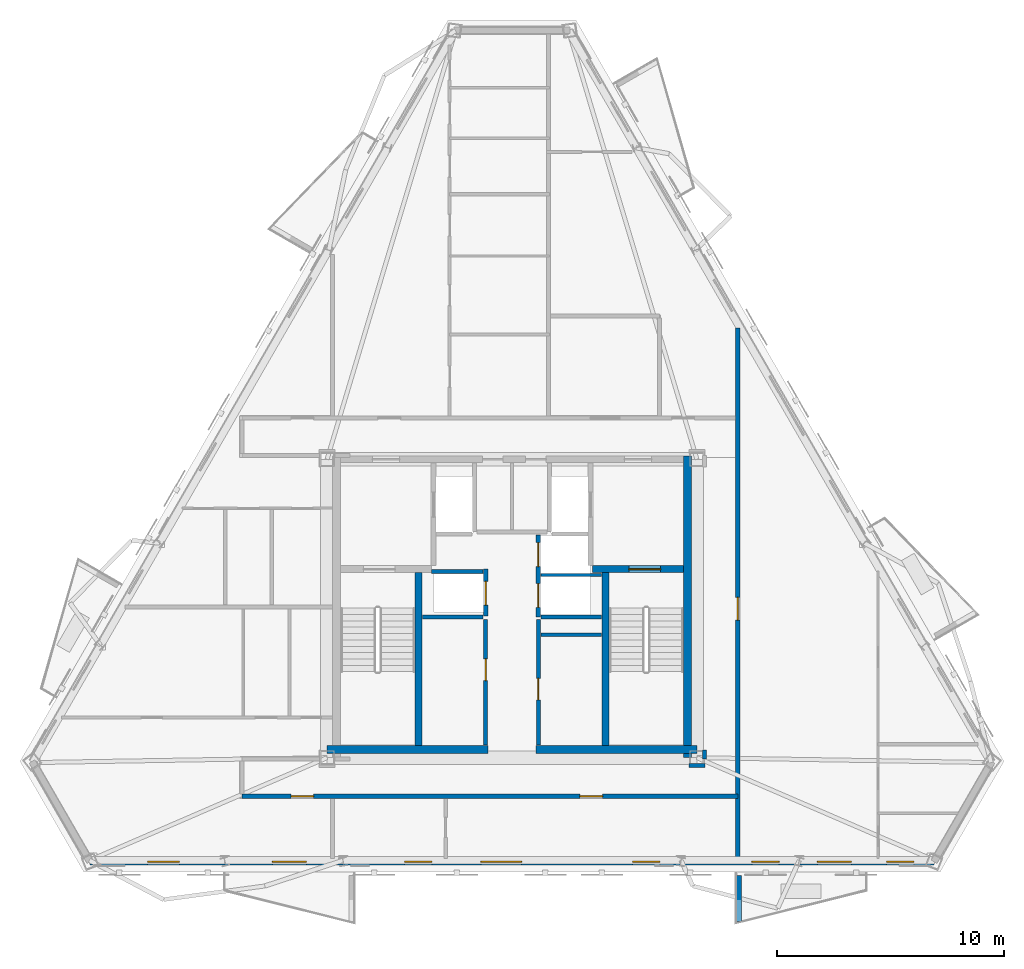
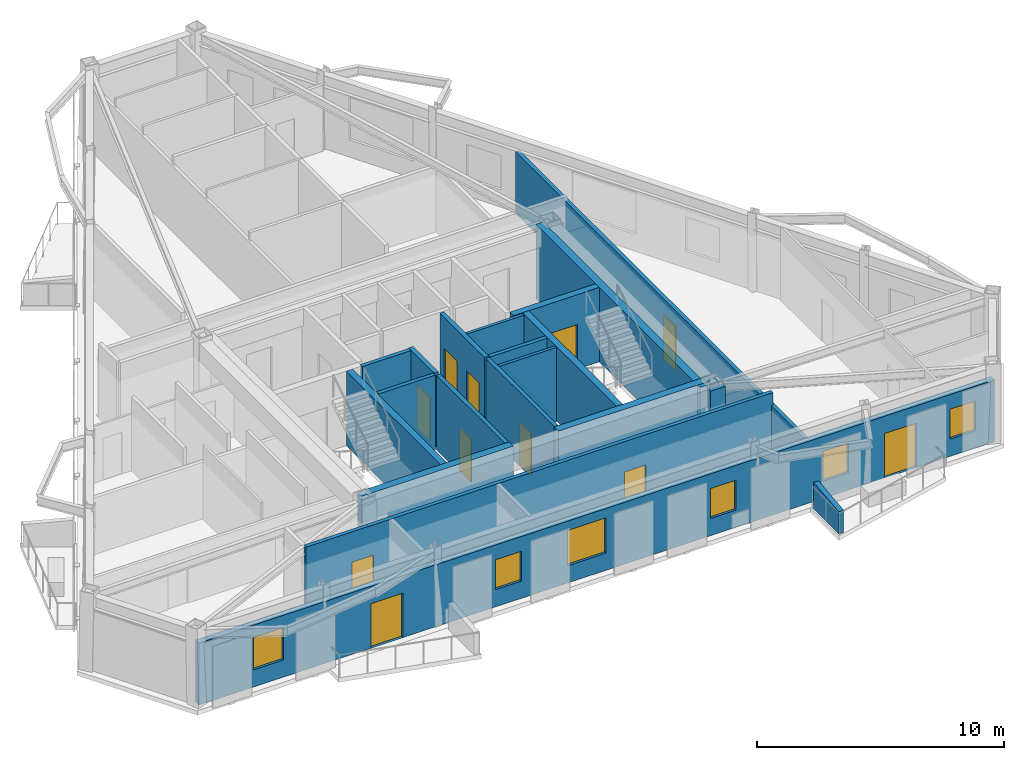
# One storey, part 3 of 9: 21 walls, 11 doors, 6 windows, 17 openings.
"""IFC4 building model written with IfcOpenShell, lengths in metres."""

from ifc_helpers import new_model, si_unit, direction, frame, frame_2d, origin, place, context, subcontext, project, spatial, polyline, rectangle, outline, extrude, material, layer, layer_set, type_object, element, fill, save


model = new_model("IFC4")

# Units and contexts
model_context = context("Model", 3, precision=1e-05, world=origin(), true_north=direction((0.0, 1.0)))
body_context = subcontext(model_context, "Body", "Model", "MODEL_VIEW")
ifc_project = project(units=[si_unit("LENGTHUNIT", "METRE"), si_unit("AREAUNIT", "SQUARE_METRE"), si_unit("VOLUMEUNIT", "CUBIC_METRE"), si_unit("PLANEANGLEUNIT", "RADIAN"), si_unit("MASSUNIT", "GRAM", prefix="KILO")], contexts=[model_context])

# Site, building, storey
site_placement = place(None, origin())
site = spatial("IfcSite", under=ifc_project, at=site_placement, CompositionType="ELEMENT")
building_placement = place(site_placement, origin())
building = spatial("IfcBuilding", under=site, at=building_placement, Name="Oramaril Tower", CompositionType="ELEMENT")
storey_placement = place(building_placement, frame((0.0, 0.0, 261.60009765625)))
storey = spatial("IfcBuildingStorey", under=building, at=storey_placement, Name="L69", CompositionType="ELEMENT", Elevation=261.60009765625)

# Wall, openings, doors, windows
ifc_material_1 = material(Name="Warm Cream Limestone", Category="masonry")
ifc_layer_1 = layer(ifc_material_1, 0.2900390625)
ifc_layer_set_1 = layer_set([ifc_layer_1], Name="WT-EXT29")
wall_type_1 = type_object("IfcWallType", Name="WT-EXT29", PredefinedType="SOLIDWALL", material=ifc_layer_set_1)
wall_1_placement = place(storey_placement, frame((18.89990234375, 6.414306640625, 0.0), z_axis=(0.0, 0.0, 1.0), x_axis=(1.0, 0.0, 0.0)))
wall_1 = element("IfcWall", 1, at=wall_1_placement, inside=storey, type_object=wall_type_1, Name="L69 Tower Limestone Facade Wall 2M", PredefinedType="SOLIDWALL", context=body_context, shape_type="SweptSolid", body=[
    extrude(rectangle(XDim=37.2001953125, YDim=0.2900390625, at=frame_2d((18.60009765625, 0.0))), origin(), (0.0, 0.0, 1.0), 3.057861328125),
])
opening_1_placement = place(wall_1_placement, frame((8.034423828125, 0.0, 0.0)))
opening_1 = element("IfcOpeningElement", 2, at=opening_1_placement, cuts=wall_1, Name="Opening D-L69-BAL-S1", PredefinedType="OPENING", context=body_context, shape_type="SweptSolid", body=[
    extrude(rectangle(XDim=1.5, YDim=2.199951171875, at=frame_2d((0.75, 1.10009765625))), frame((0.0, 0.14501953125, 0.0), z_axis=(0.0, -1.0, 0.0), x_axis=(1.0, 0.0, 0.0)), (0.0, 0.0, 1.0), 0.2900390625),
])
opening_2_placement = place(wall_1_placement, frame((32.060546875, 0.0, 0.0)))
opening_2 = element("IfcOpeningElement", 3, at=opening_2_placement, cuts=wall_1, Name="Opening D-L69-BAL-S2", PredefinedType="OPENING", context=body_context, shape_type="SweptSolid", body=[
    extrude(rectangle(XDim=1.5, YDim=2.199951171875, at=frame_2d((0.75, 1.10009765625))), frame((0.0, 0.14501953125, 0.0), z_axis=(0.0, -1.0, 0.0), x_axis=(1.0, 0.0, 0.0)), (0.0, 0.0, 1.0), 0.2900390625),
])
opening_3_placement = place(wall_1_placement, frame((17.22412109375, 0.0, 0.85009765625)))
opening_3 = element("IfcOpeningElement", 4, at=opening_3_placement, cuts=wall_1, Name="Opening WN-06", PredefinedType="OPENING", context=body_context, shape_type="SweptSolid", body=[
    extrude(rectangle(XDim=1.800048828125, YDim=1.75, at=frame_2d((0.89990234375, 0.875))), frame((0.0, 0.14501953125, 0.0), z_axis=(0.0, -1.0, 0.0), x_axis=(1.0, 0.0, 0.0)), (0.0, 0.0, 1.0), 0.2900390625),
])
opening_4_placement = place(wall_1_placement, frame((23.9130859375, 0.0, 0.85009765625)))
opening_4 = element("IfcOpeningElement", 5, at=opening_4_placement, cuts=wall_1, Name="Opening WN-09", PredefinedType="OPENING", context=body_context, shape_type="SweptSolid", body=[
    extrude(rectangle(XDim=1.199951171875, YDim=1.47998046875, at=frame_2d((0.60009765625, 0.739990234375))), frame((0.0, 0.14501953125, 0.0), z_axis=(0.0, -1.0, 0.0), x_axis=(1.0, 0.0, 0.0)), (0.0, 0.0, 1.0), 0.2900390625),
])
opening_5_placement = place(wall_1_placement, frame((13.87255859375, 0.0, 0.85009765625)))
opening_5 = element("IfcOpeningElement", 6, at=opening_5_placement, cuts=wall_1, Name="Opening WN-09", PredefinedType="OPENING", context=body_context, shape_type="SweptSolid", body=[
    extrude(rectangle(XDim=1.199951171875, YDim=1.47998046875, at=frame_2d((0.60009765625, 0.739990234375))), frame((0.0, 0.14501953125, 0.0), z_axis=(0.0, -1.0, 0.0), x_axis=(1.0, 0.0, 0.0)), (0.0, 0.0, 1.0), 0.2900390625),
])
opening_6_placement = place(wall_1_placement, frame((2.54541015625, 0.0, 0.85009765625)))
opening_6 = element("IfcOpeningElement", 7, at=opening_6_placement, cuts=wall_1, Name="Opening WN-08", PredefinedType="OPENING", context=body_context, shape_type="SweptSolid", body=[
    extrude(rectangle(XDim=1.39990234375, YDim=1.60009765625, at=frame_2d((0.699951171875, 0.800048828125))), frame((0.0, 0.14501953125, 0.0), z_axis=(0.0, -1.0, 0.0), x_axis=(1.0, 0.0, 0.0)), (0.0, 0.0, 1.0), 0.2900390625),
])
opening_7_placement = place(wall_1_placement, frame((29.174072265625, 0.0, 0.85009765625)))
opening_7 = element("IfcOpeningElement", 8, at=opening_7_placement, cuts=wall_1, Name="Opening WN-09", PredefinedType="OPENING", context=body_context, shape_type="SweptSolid", body=[
    extrude(rectangle(XDim=1.199951171875, YDim=1.47998046875, at=frame_2d((0.60009765625, 0.739990234375))), frame((0.0, 0.14501953125, 0.0), z_axis=(0.0, -1.0, 0.0), x_axis=(1.0, 0.0, 0.0)), (0.0, 0.0, 1.0), 0.2900390625),
])
opening_8_placement = place(wall_1_placement, frame((35.11474609375, 0.0, 0.85009765625)))
opening_8 = element("IfcOpeningElement", 9, at=opening_8_placement, cuts=wall_1, Name="Opening WN-09", PredefinedType="OPENING", context=body_context, shape_type="SweptSolid", body=[
    extrude(rectangle(XDim=1.199951171875, YDim=1.47998046875, at=frame_2d((0.60009765625, 0.739990234375))), frame((0.0, 0.14501953125, 0.0), z_axis=(0.0, -1.0, 0.0), x_axis=(1.0, 0.0, 0.0)), (0.0, 0.0, 1.0), 0.2900390625),
])
ifc_material_2 = material(Name="Anodised Aluminium 6063-T6", Category="aluminium")
door_type_1 = type_object("IfcDoorType", Name="DT-BAL", OperationType="NOTDEFINED", PredefinedType="DOOR", material=ifc_material_2)
door_1_placement = place(opening_1_placement, origin())
door_1 = element("IfcDoor", 10, at=door_1_placement, inside=storey, type_object=door_type_1, Name="L69 Balcony Glazed Door L69-BAL-S1", OperationType="SINGLE_SWING_RIGHT", OverallHeight=2.199951171875, OverallWidth=1.5, PredefinedType="DOOR", context=body_context, shape_type="SweptSolid", body=[
    extrude(rectangle(XDim=1.5, YDim=2.199951171875, at=frame_2d((0.75, 1.10009765625))), frame((0.0, 0.02490234375, 0.0), z_axis=(0.0, -1.0, 0.0), x_axis=(1.0, 0.0, 0.0)), (0.0, 0.0, 1.0), 0.050048828125),
])
fill(opening_1, door_1)
door_2_placement = place(opening_2_placement, origin())
door_2 = element("IfcDoor", 11, at=door_2_placement, inside=storey, type_object=door_type_1, Name="L69 Balcony Glazed Door L69-BAL-S2", OperationType="SINGLE_SWING_LEFT", OverallHeight=2.199951171875, OverallWidth=1.5, PredefinedType="DOOR", context=body_context, shape_type="SweptSolid", body=[
    extrude(rectangle(XDim=1.5, YDim=2.199951171875, at=frame_2d((0.75, 1.10009765625))), frame((0.0, 0.02490234375, 0.0), z_axis=(0.0, -1.0, 0.0), x_axis=(1.0, 0.0, 0.0)), (0.0, 0.0, 1.0), 0.050048828125),
])
fill(opening_2, door_2)
ifc_material_3 = material(Name="Coastal Low-E Insulated Glass", Category="glass")
window_type_1 = type_object("IfcWindowType", Name="WNT-06", PartitioningType="SINGLE_PANEL", PredefinedType="WINDOW", material=ifc_material_3)
window_1_placement = place(opening_3_placement, origin())
window_1 = element("IfcWindow", 12, at=window_1_placement, inside=storey, type_object=window_type_1, Name="L69 Chicago Bay Window WN-06", OverallHeight=1.75, OverallWidth=1.800048828125, PartitioningType="SINGLE_PANEL", PredefinedType="WINDOW", context=body_context, shape_type="SweptSolid", body=[
    extrude(rectangle(XDim=1.800048828125, YDim=1.75, at=frame_2d((0.89990234375, 0.875))), frame((0.0, 0.030029296875, 0.0), z_axis=(0.0, -1.0, 0.0), x_axis=(1.0, 0.0, 0.0)), (0.0, 0.0, 1.0), 0.06005859375),
])
fill(opening_3, window_1)
ifc_material_4 = material(Name="Coastal Low-E Insulated Glass", Category="glass")
window_type_2 = type_object("IfcWindowType", Name="WNT-08", PartitioningType="SINGLE_PANEL", PredefinedType="WINDOW", material=ifc_material_4)
window_2_placement = place(opening_6_placement, origin())
window_2 = element("IfcWindow", 13, at=window_2_placement, inside=storey, type_object=window_type_2, Name="L69 Chicago Bay Window WN-08", OverallHeight=1.60009765625, OverallWidth=1.39990234375, PartitioningType="SINGLE_PANEL", PredefinedType="WINDOW", context=body_context, shape_type="SweptSolid", body=[
    extrude(rectangle(XDim=1.39990234375, YDim=1.60009765625, at=frame_2d((0.699951171875, 0.800048828125))), frame((0.0, 0.030029296875, 0.0), z_axis=(0.0, -1.0, 0.0), x_axis=(1.0, 0.0, 0.0)), (0.0, 0.0, 1.0), 0.06005859375),
])
fill(opening_6, window_2)
ifc_material_5 = material(Name="Coastal Low-E Insulated Glass", Category="glass")
window_type_3 = type_object("IfcWindowType", Name="WNT-09", PartitioningType="SINGLE_PANEL", PredefinedType="WINDOW", material=ifc_material_5)
window_3_placement = place(opening_4_placement, origin())
window_3 = element("IfcWindow", 14, at=window_3_placement, inside=storey, type_object=window_type_3, Name="L69 Chicago Bay Window WN-09", OverallHeight=1.47998046875, OverallWidth=1.199951171875, PartitioningType="SINGLE_PANEL", PredefinedType="WINDOW", context=body_context, shape_type="SweptSolid", body=[
    extrude(rectangle(XDim=1.199951171875, YDim=1.47998046875, at=frame_2d((0.60009765625, 0.739990234375))), frame((0.0, 0.030029296875, 0.0), z_axis=(0.0, -1.0, 0.0), x_axis=(1.0, 0.0, 0.0)), (0.0, 0.0, 1.0), 0.06005859375),
])
fill(opening_4, window_3)
window_4_placement = place(opening_5_placement, origin())
window_4 = element("IfcWindow", 15, at=window_4_placement, inside=storey, type_object=window_type_3, Name="L69 Chicago Bay Window WN-09", OverallHeight=1.47998046875, OverallWidth=1.199951171875, PartitioningType="SINGLE_PANEL", PredefinedType="WINDOW", context=body_context, shape_type="SweptSolid", body=[
    extrude(rectangle(XDim=1.199951171875, YDim=1.47998046875, at=frame_2d((0.60009765625, 0.739990234375))), frame((0.0, 0.030029296875, 0.0), z_axis=(0.0, -1.0, 0.0), x_axis=(1.0, 0.0, 0.0)), (0.0, 0.0, 1.0), 0.06005859375),
])
fill(opening_5, window_4)
window_5_placement = place(opening_7_placement, origin())
window_5 = element("IfcWindow", 16, at=window_5_placement, inside=storey, type_object=window_type_3, Name="L69 Chicago Bay Window WN-09", OverallHeight=1.47998046875, OverallWidth=1.199951171875, PartitioningType="SINGLE_PANEL", PredefinedType="WINDOW", context=body_context, shape_type="SweptSolid", body=[
    extrude(rectangle(XDim=1.199951171875, YDim=1.47998046875, at=frame_2d((0.60009765625, 0.739990234375))), frame((0.0, 0.030029296875, 0.0), z_axis=(0.0, -1.0, 0.0), x_axis=(1.0, 0.0, 0.0)), (0.0, 0.0, 1.0), 0.06005859375),
])
fill(opening_7, window_5)
window_6_placement = place(opening_8_placement, origin())
window_6 = element("IfcWindow", 17, at=window_6_placement, inside=storey, type_object=window_type_3, Name="L69 Chicago Bay Window WN-09", OverallHeight=1.47998046875, OverallWidth=1.199951171875, PartitioningType="SINGLE_PANEL", PredefinedType="WINDOW", context=body_context, shape_type="SweptSolid", body=[
    extrude(rectangle(XDim=1.199951171875, YDim=1.47998046875, at=frame_2d((0.60009765625, 0.739990234375))), frame((0.0, 0.030029296875, 0.0), z_axis=(0.0, -1.0, 0.0), x_axis=(1.0, 0.0, 0.0)), (0.0, 0.0, 1.0), 0.06005859375),
])
fill(opening_8, window_6)

# Walls
ifc_material_6 = material(Name="Concrete C40/50", Category="concrete")
ifc_layer_2 = layer(ifc_material_6, 0.22998046875)
ifc_layer_set_2 = layer_set([ifc_layer_2], Name="WT-PRP23")
wall_type_2 = type_object("IfcWallType", Name="WT-PRP23", PredefinedType="PARAPET", material=ifc_layer_set_2)
wall_2_placement = place(storey_placement, frame((47.49560546875, 5.81640625, 0.0), z_axis=(0.0, 0.0, 1.0), x_axis=(0.0, -1.0, 0.0)))
element("IfcWall", 18, at=wall_2_placement, inside=storey, type_object=wall_type_2, Name="L69 Trapezoidal Balcony Frame Cheek L69-BAL-S2-L", PredefinedType="PARAPET", context=body_context, shape_type="SweptSolid", body=[
    extrude(outline(polyline([(0.0, 0.0), (2.0419921875, 0.0), (2.0419921875, 1.099853515625), (0.0, 1.31982421875), (0.0, 0.0)])), frame((0.0, 0.114990234375, 0.0), z_axis=(0.0, -1.0, 0.0), x_axis=(1.0, 0.0, 0.0)), (0.0, 0.0, 1.0), 0.22998046875),
])
ifc_material_7 = material(Name="Acoustic Gypsum Board Partition")
ifc_layer_3 = layer(ifc_material_7, 0.139892578125)
ifc_layer_set_3 = layer_set([ifc_layer_3], Name="WT-PT14")
wall_type_3 = type_object("IfcWallType", Name="WT-PT14", PredefinedType="PARTITIONING", material=ifc_layer_set_3)
for number, where, z_axis, x_axis, name in (
    (19, (38.780029296875, 19.050048828125, 0.0), (0.0, 0.0, 1.0), (1.0, 0.0, 0.0), "L69 High-Rise Lift H2-H3 Divider"),
    (20, (38.780029296875, 16.419921875, 0.0), (0.0, 0.0, 1.0), (1.0, 0.0, 0.0), "L69 Freed Shaft North Closure"),
):
    element("IfcWall", number, at=place(storey_placement, frame(where, z_axis=z_axis, x_axis=x_axis)), inside=storey, type_object=wall_type_3, Name=name, PredefinedType="PARTITIONING", context=body_context, shape_type="SweptSolid", body=[
        extrude(rectangle(XDim=2.659912109375, YDim=0.139892578125, at=frame_2d((1.330078125, 0.0))), origin(), (0.0, 0.0, 1.0), 3.679931640625),
    ])
ifc_material_8 = material(Name="Autoclaved Cellular Concrete Block", Category="concrete")
ifc_layer_4 = layer(ifc_material_8, 0.179931640625)
ifc_layer_set_4 = layer_set([ifc_layer_4], Name="WT-PT18")
wall_type_4 = type_object("IfcWallType", Name="WT-PT18", PredefinedType="PARTITIONING", material=ifc_layer_set_4)
wall_3_placement = place(storey_placement, frame((33.949951171875, 19.199951171875, 0.0), z_axis=(0.0, 0.0, 1.0), x_axis=(1.0, 0.0, 0.0)))
element("IfcWall", 21, at=wall_3_placement, inside=storey, type_object=wall_type_4, Name="L69 High-Rise Lift H1 North Shaft Wall", PredefinedType="PARTITIONING", context=body_context, shape_type="SweptSolid", body=[
    extrude(rectangle(XDim=2.27001953125, YDim=0.179931640625, at=frame_2d((1.135009765625, 0.0))), origin(), (0.0, 0.0, 1.0), 3.679931640625),
])
wall_4_placement = place(storey_placement, frame((33.56005859375, 17.199951171875, 0.0), z_axis=(0.0, 0.0, 1.0), x_axis=(1.0, 0.0, 0.0)))
element("IfcWall", 22, at=wall_4_placement, inside=storey, type_object=wall_type_4, Name="L69 High-Rise Lift H1 South Wall", PredefinedType="PARTITIONING", context=body_context, shape_type="SweptSolid", body=[
    extrude(rectangle(XDim=2.659912109375, YDim=0.179931640625, at=frame_2d((1.330078125, 0.0))), origin(), (0.0, 0.0, 1.0), 3.679931640625),
])

# Wall, opening, door
wall_5_placement = place(storey_placement, frame((36.340087890625, 11.550048828125, 0.0), z_axis=(0.0, 0.0, 1.0), x_axis=(0.0, 1.0, 0.0)))
wall_5 = element("IfcWall", 23, at=wall_5_placement, inside=storey, type_object=wall_type_4, Name="L69 Freed Shaft Study East Wall", PredefinedType="PARTITIONING", context=body_context, shape_type="SweptSolid", body=[
    extrude(rectangle(XDim=5.550048828125, YDim=0.179931640625, at=frame_2d((2.77490234375, 0.0))), origin(), (0.0, 0.0, 1.0), 3.679931640625),
])
opening_9_placement = place(wall_5_placement, frame((2.85009765625, 0.0, 0.0)))
opening_9 = element("IfcOpeningElement", 24, at=opening_9_placement, cuts=wall_5, Name="Opening D-L69-FL1", PredefinedType="OPENING", context=body_context, shape_type="SweptSolid", body=[
    extrude(rectangle(XDim=0.949951171875, YDim=2.10009765625, at=frame_2d((0.47509765625, 1.050048828125))), frame((0.0, 0.08984375, 0.0), z_axis=(0.0, -1.0, 0.0), x_axis=(1.0, 0.0, 0.0)), (0.0, 0.0, 1.0), 0.179931640625),
])
ifc_material_9 = material(Name="FSC Brazilian Freijo Hardwood", Category="wood")
door_type_2 = type_object("IfcDoorType", Name="DT-STDY", OperationType="NOTDEFINED", PredefinedType="DOOR", material=ifc_material_9)
door_3_placement = place(opening_9_placement, origin())
door_3 = element("IfcDoor", 25, at=door_3_placement, inside=storey, type_object=door_type_2, Name="L69 L69 Residents Study Alcove Door", OperationType="SINGLE_SWING_LEFT", OverallHeight=2.10009765625, OverallWidth=0.949951171875, PredefinedType="DOOR", context=body_context, shape_type="SweptSolid", body=[
    extrude(rectangle(XDim=0.949951171875, YDim=2.10009765625, at=frame_2d((0.47509765625, 1.050048828125))), frame((0.0, 0.02490234375, 0.0), z_axis=(0.0, -1.0, 0.0), x_axis=(1.0, 0.0, 0.0)), (0.0, 0.0, 1.0), 0.050048828125),
])
fill(opening_9, door_3)

# Wall
wall_6_placement = place(storey_placement, frame((38.780029296875, 17.199951171875, 0.0), z_axis=(0.0, 0.0, 1.0), x_axis=(1.0, 0.0, 0.0)))
element("IfcWall", 26, at=wall_6_placement, inside=storey, type_object=wall_type_4, Name="L69 High-Rise Lift H2 South Wall", PredefinedType="PARTITIONING", context=body_context, shape_type="SweptSolid", body=[
    extrude(rectangle(XDim=2.659912109375, YDim=0.179931640625, at=frame_2d((1.330078125, 0.0))), origin(), (0.0, 0.0, 1.0), 3.679931640625),
])

# Wall, opening, door
wall_7_placement = place(storey_placement, frame((38.659912109375, 11.550048828125, 0.0), z_axis=(0.0, 0.0, 1.0), x_axis=(0.0, 1.0, 0.0)))
wall_7 = element("IfcWall", 27, at=wall_7_placement, inside=storey, type_object=wall_type_4, Name="L69 Freed Shaft Alcove West Wall", PredefinedType="PARTITIONING", context=body_context, shape_type="SweptSolid", body=[
    extrude(rectangle(XDim=5.550048828125, YDim=0.179931640625, at=frame_2d((2.77490234375, 0.0))), origin(), (0.0, 0.0, 1.0), 3.679931640625),
])
opening_10_placement = place(wall_7_placement, frame((2.0, 0.0, 0.0)))
opening_10 = element("IfcOpeningElement", 28, at=opening_10_placement, cuts=wall_7, Name="Opening D-L69-FM1", PredefinedType="OPENING", context=body_context, shape_type="SweptSolid", body=[
    extrude(rectangle(XDim=0.949951171875, YDim=2.10009765625, at=frame_2d((0.47509765625, 1.050048828125))), frame((0.0, 0.08984375, 0.0), z_axis=(0.0, -1.0, 0.0), x_axis=(1.0, 0.0, 0.0)), (0.0, 0.0, 1.0), 0.179931640625),
])
door_4_placement = place(opening_10_placement, origin())
door_4 = element("IfcDoor", 29, at=door_4_placement, inside=storey, type_object=door_type_2, Name="L69 L69 Sky Reading Room Door", OperationType="SINGLE_SWING_RIGHT", OverallHeight=2.10009765625, OverallWidth=0.949951171875, PredefinedType="DOOR", context=body_context, shape_type="SweptSolid", body=[
    extrude(rectangle(XDim=0.949951171875, YDim=2.10009765625, at=frame_2d((0.47509765625, 1.050048828125))), frame((0.0, 0.02490234375, 0.0), z_axis=(0.0, -1.0, 0.0), x_axis=(1.0, 0.0, 0.0)), (0.0, 0.0, 1.0), 0.050048828125),
])
fill(opening_10, door_4)

# Wall, openings, doors
wall_8_placement = place(storey_placement, frame((25.60009765625, 9.300048828125, 0.0), z_axis=(0.0, 0.0, 1.0), x_axis=(1.0, 0.0, 0.0)))
wall_8 = element("IfcWall", 30, at=wall_8_placement, inside=storey, type_object=wall_type_4, Name="L69 Interior Partition PT-18", PredefinedType="PARTITIONING", context=body_context, shape_type="SweptSolid", body=[
    extrude(rectangle(XDim=21.849853515625, YDim=0.179931640625, at=frame_2d((10.9248046875, 0.0))), origin(), (0.0, 0.0, 1.0), 3.679931640625),
])
opening_11_placement = place(wall_8_placement, frame((2.160400390625, 0.0, 0.0)))
opening_11 = element("IfcOpeningElement", 31, at=opening_11_placement, cuts=wall_8, Name="Opening D-L69-01", PredefinedType="OPENING", context=body_context, shape_type="SweptSolid", body=[
    extrude(rectangle(XDim=1.0, YDim=2.179931640625, at=frame_2d((0.5, 1.08984375))), frame((0.0, 0.08984375, 0.0), z_axis=(0.0, -1.0, 0.0), x_axis=(1.0, 0.0, 0.0)), (0.0, 0.0, 1.0), 0.179931640625),
])
opening_12_placement = place(wall_8_placement, frame((14.895751953125, 0.0, 0.0)))
opening_12 = element("IfcOpeningElement", 32, at=opening_12_placement, cuts=wall_8, Name="Opening D-L69-02", PredefinedType="OPENING", context=body_context, shape_type="SweptSolid", body=[
    extrude(rectangle(XDim=1.0, YDim=2.179931640625, at=frame_2d((0.5, 1.08984375))), frame((0.0, 0.08984375, 0.0), z_axis=(0.0, -1.0, 0.0), x_axis=(1.0, 0.0, 0.0)), (0.0, 0.0, 1.0), 0.179931640625),
])
ifc_material_10 = material(Name="FSC Brazilian Freijo Hardwood", Category="wood")
door_type_3 = type_object("IfcDoorType", Name="DT-APT", OperationType="NOTDEFINED", PredefinedType="DOOR", material=ifc_material_10)
door_5_placement = place(opening_11_placement, origin())
door_5 = element("IfcDoor", 33, at=door_5_placement, inside=storey, type_object=door_type_3, Name="L69 Flat L69-U2 Penthouse Living and Dining Room Door D-L69-01", OperationType="SINGLE_SWING_RIGHT", OverallHeight=2.179931640625, OverallWidth=1.0, PredefinedType="DOOR", context=body_context, shape_type="SweptSolid", body=[
    extrude(rectangle(XDim=1.0, YDim=2.179931640625, at=frame_2d((0.5, 1.08984375))), frame((0.0, 0.02490234375, 0.0), z_axis=(0.0, -1.0, 0.0), x_axis=(1.0, 0.0, 0.0)), (0.0, 0.0, 1.0), 0.050048828125),
])
fill(opening_11, door_5)
door_6_placement = place(opening_12_placement, origin())
door_6 = element("IfcDoor", 34, at=door_6_placement, inside=storey, type_object=door_type_3, Name="L69 Flat L69-U1 Kitchen and Studio Apartment Door D-L69-02", OperationType="SINGLE_SWING_LEFT", OverallHeight=2.179931640625, OverallWidth=1.0, PredefinedType="DOOR", context=body_context, shape_type="SweptSolid", body=[
    extrude(rectangle(XDim=1.0, YDim=2.179931640625, at=frame_2d((0.5, 1.08984375))), frame((0.0, 0.02490234375, 0.0), z_axis=(0.0, -1.0, 0.0), x_axis=(1.0, 0.0, 0.0)), (0.0, 0.0, 1.0), 0.050048828125),
])
fill(opening_12, door_6)

# Walls
wall_9_placement = place(storey_placement, frame((45.304931640625, 10.64990234375, 0.0), z_axis=(0.0, 0.0, 1.0), x_axis=(1.0, 0.0, 0.0)))
element("IfcWall", 35, at=wall_9_placement, inside=storey, type_object=wall_type_4, Name="L69 Interior Partition PT-18", PredefinedType="PARTITIONING", context=body_context, shape_type="SweptSolid", body=[
    extrude(rectangle(XDim=0.690185546875, YDim=0.179931640625, at=frame_2d((0.34521484375, 0.0))), origin(), (0.0, 0.0, 1.0), 3.679931640625),
])
wall_10_placement = place(storey_placement, frame((45.989990234375, 10.949951171875, 0.0), z_axis=(0.0, 0.0, 1.0), x_axis=(0.0, 1.0, 0.0)))
element("IfcWall", 36, at=wall_10_placement, inside=storey, type_object=wall_type_4, Name="L69 Interior Partition PT-18", PredefinedType="PARTITIONING", context=body_context, shape_type="SweptSolid", body=[
    extrude(rectangle(XDim=0.39013671875, YDim=0.179931640625, at=frame_2d((0.195068359375, 0.0))), origin(), (0.0, 0.0, 1.0), 3.679931640625),
])

# Wall, opening, door
wall_11_placement = place(storey_placement, frame((47.449951171875, 6.5634765625, 0.0), z_axis=(0.0, 0.0, 1.0), x_axis=(0.0, 1.0, 0.0)))
wall_11 = element("IfcWall", 37, at=wall_11_placement, inside=storey, type_object=wall_type_4, Name="L69 Interior Partition PT-18", PredefinedType="PARTITIONING", context=body_context, shape_type="SweptSolid", body=[
    extrude(rectangle(XDim=23.375732421875, YDim=0.179931640625, at=frame_2d((11.68798828125, 0.0))), origin(), (0.0, 0.0, 1.0), 3.057861328125),
])
opening_13_placement = place(wall_11_placement, frame((10.4970703125, 0.0, 0.0)))
opening_13 = element("IfcOpeningElement", 38, at=opening_13_placement, cuts=wall_11, Name="Opening D-L69-21", PredefinedType="OPENING", context=body_context, shape_type="SweptSolid", body=[
    extrude(rectangle(XDim=1.0, YDim=2.179931640625, at=frame_2d((0.5, 1.08984375))), frame((0.0, 0.08984375, 0.0), z_axis=(0.0, -1.0, 0.0), x_axis=(1.0, 0.0, 0.0)), (0.0, 0.0, 1.0), 0.179931640625),
])
door_7_placement = place(opening_13_placement, origin())
door_7 = element("IfcDoor", 39, at=door_7_placement, inside=storey, type_object=door_type_3, Name="L69 Flat L69-U4 Penthouse Living and Dining Room Door D-L69-21", OperationType="SINGLE_SWING_RIGHT", OverallHeight=2.179931640625, OverallWidth=1.0, PredefinedType="DOOR", context=body_context, shape_type="SweptSolid", body=[
    extrude(rectangle(XDim=1.0, YDim=2.179931640625, at=frame_2d((0.5, 1.08984375))), frame((0.0, 0.02490234375, 0.0), z_axis=(0.0, -1.0, 0.0), x_axis=(1.0, 0.0, 0.0)), (0.0, 0.0, 1.0), 0.050048828125),
])
fill(opening_13, door_7)

ifc_material_11 = material(Name="Concrete C50/60", Category="concrete")
ifc_layer_5 = layer(ifc_material_11, 0.300048828125)
ifc_layer_set_5 = layer_set([ifc_layer_5], Name="WT-SH30")
wall_type_5 = type_object("IfcWallType", Name="WT-SH30", PredefinedType="SHEAR", material=ifc_layer_set_5)
wall_12_placement = place(storey_placement, frame((41.050048828125, 19.31005859375, 0.0), z_axis=(0.0, 0.0, 1.0), x_axis=(1.0, 0.0, 0.0)))
wall_12 = element("IfcWall", 40, at=wall_12_placement, inside=storey, type_object=wall_type_5, Name="L69 Core Shear Wall CW-ST2N", PredefinedType="SHEAR", context=body_context, shape_type="SweptSolid", body=[
    extrude(rectangle(XDim=4.010009765625, YDim=0.300048828125, at=frame_2d((2.0048828125, 0.0))), origin(), (0.0, 0.0, 1.0), 3.679931640625),
])
opening_14_placement = place(wall_12_placement, frame((1.60009765625, 0.0, 0.0)))
opening_14 = element("IfcOpeningElement", 41, at=opening_14_placement, cuts=wall_12, Name="Opening D-L69-ST2", PredefinedType="OPENING", context=body_context, shape_type="SweptSolid", body=[
    extrude(rectangle(XDim=1.39990234375, YDim=2.199951171875, at=frame_2d((0.699951171875, 1.10009765625))), frame((0.0, 0.14990234375, 0.0), z_axis=(0.0, -1.0, 0.0), x_axis=(1.0, 0.0, 0.0)), (0.0, 0.0, 1.0), 0.300048828125),
])
ifc_material_12 = material(Name="Painted Galvanised Steel", Category="steel")
door_type_4 = type_object("IfcDoorType", Name="DT-ST", OperationType="NOTDEFINED", PredefinedType="DOOR", material=ifc_material_12)
door_8_placement = place(opening_14_placement, origin())
door_8 = element("IfcDoor", 42, at=door_8_placement, inside=storey, type_object=door_type_4, Name="L69 Protected Stair ST-2 Fire Door", OperationType="SINGLE_SWING_RIGHT", OverallHeight=2.199951171875, OverallWidth=1.39990234375, PredefinedType="DOOR", context=body_context, shape_type="SweptSolid", body=[
    extrude(rectangle(XDim=1.39990234375, YDim=2.199951171875, at=frame_2d((0.699951171875, 1.10009765625))), frame((0.0, 0.02490234375, 0.0), z_axis=(0.0, -1.0, 0.0), x_axis=(1.0, 0.0, 0.0)), (0.0, 0.0, 1.0), 0.050048828125),
])
fill(opening_14, door_8)

# Walls
for number, where, z_axis, x_axis, name in (
    (43, (33.3798828125, 11.5400390625, 0.0), (0.0, 0.0, 1.0), (0.0, 1.0, 0.0), "L69 Core Shear Wall CW-ST1E"),
    (44, (41.6201171875, 11.5400390625, 0.0), (0.0, 0.0, 1.0), (0.0, 1.0, 0.0), "L69 Core Shear Wall CW-ST2W"),
):
    element("IfcWall", number, at=place(storey_placement, frame(where, z_axis=z_axis, x_axis=x_axis)), inside=storey, type_object=wall_type_5, Name=name, PredefinedType="SHEAR", context=body_context, shape_type="SweptSolid", body=[
        extrude(rectangle(XDim=7.619873046875, YDim=0.300048828125, at=frame_2d((3.81005859375, 0.0))), origin(), (0.0, 0.0, 1.0), 3.679931640625),
    ])
ifc_material_13 = material(Name="Concrete C50/60", Category="concrete")
ifc_layer_6 = layer(ifc_material_13, 0.35009765625)
ifc_layer_set_6 = layer_set([ifc_layer_6], Name="WT-SH35")
wall_type_6 = type_object("IfcWallType", Name="WT-SH35", PredefinedType="SHEAR", material=ifc_layer_set_6)
wall_13_placement = place(storey_placement, frame((45.235107421875, 11.0, 0.0), z_axis=(0.0, 0.0, 1.0), x_axis=(0.0, 1.0, 0.0)))
element("IfcWall", 45, at=wall_13_placement, inside=storey, type_object=wall_type_6, Name="L69 Core Shear Wall CW-E", PredefinedType="SHEAR", context=body_context, shape_type="SweptSolid", body=[
    extrude(rectangle(XDim=13.300048828125, YDim=0.35009765625, at=frame_2d((6.64990234375, 0.0))), origin(), (0.0, 0.0, 1.0), 3.679931640625),
])
for number, where, z_axis, x_axis, name in (
    (46, (29.35009765625, 11.364990234375, 0.0), (0.0, 0.0, 1.0), (1.0, 0.0, 0.0), "L69 Core Shear Wall CW-SW"),
    (47, (38.550048828125, 11.364990234375, 0.0), (0.0, 0.0, 1.0), (1.0, 0.0, 0.0), "L69 Core Shear Wall CW-SE"),
):
    element("IfcWall", number, at=place(storey_placement, frame(where, z_axis=z_axis, x_axis=x_axis)), inside=storey, type_object=wall_type_6, Name=name, PredefinedType="SHEAR", context=body_context, shape_type="SweptSolid", body=[
        extrude(rectangle(XDim=7.099853515625, YDim=0.35009765625, at=frame_2d((3.5498046875, 0.0))), origin(), (0.0, 0.0, 1.0), 3.679931640625),
    ])

# Wall, opening, door
ifc_material_14 = material(Name="Autoclaved Cellular Concrete Block", Category="concrete")
ifc_layer_7 = layer(ifc_material_14, 0.199951171875)
ifc_layer_set_7 = layer_set([ifc_layer_7], Name="WT-SHF20")
wall_type_7 = type_object("IfcWallType", Name="WT-SHF20", PredefinedType="PARTITIONING", material=ifc_layer_set_7)
wall_14_placement = place(storey_placement, frame((36.340087890625, 17.25, 0.0), z_axis=(0.0, 0.0, 1.0), x_axis=(0.0, 1.0, 0.0)))
wall_14 = element("IfcWall", 48, at=wall_14_placement, inside=storey, type_object=wall_type_7, Name="L69 High-Rise Lift H1 Front Wall", PredefinedType="PARTITIONING", context=body_context, shape_type="SweptSolid", body=[
    extrude(rectangle(XDim=2.070068359375, YDim=0.199951171875, at=frame_2d((1.03515625, 0.0))), origin(), (0.0, 0.0, 1.0), 3.679931640625),
])
opening_15_placement = place(wall_14_placement, frame((0.47509765625, 0.0, 0.0)))
opening_15 = element("IfcOpeningElement", 49, at=opening_15_placement, cuts=wall_14, Name="Opening LD-L69-LP-H1", PredefinedType="OPENING", context=body_context, shape_type="SweptSolid", body=[
    extrude(rectangle(XDim=1.050048828125, YDim=2.14990234375, at=frame_2d((0.52490234375, 1.074951171875))), frame((0.0, 0.10009765625, 0.0), z_axis=(0.0, -1.0, 0.0), x_axis=(1.0, 0.0, 0.0)), (0.0, 0.0, 1.0), 0.199951171875),
])
ifc_material_15 = material(Name="Stainless Steel 316L", Category="steel")
door_type_5 = type_object("IfcDoorType", Name="DT-LD2", OperationType="NOTDEFINED", PredefinedType="DOOR", material=ifc_material_15)
door_9_placement = place(opening_15_placement, origin())
door_9 = element("IfcDoor", 50, at=door_9_placement, inside=storey, type_object=door_type_5, Name="L69 Lift LP-H1 Sliding Landing Door", OperationType="SLIDING_TO_LEFT", OverallHeight=2.14990234375, OverallWidth=1.050048828125, PredefinedType="DOOR", context=body_context, shape_type="SweptSolid", body=[
    extrude(rectangle(XDim=1.050048828125, YDim=2.14990234375, at=frame_2d((0.52490234375, 1.074951171875))), frame((0.0, 0.02490234375, 0.0), z_axis=(0.0, -1.0, 0.0), x_axis=(1.0, 0.0, 0.0)), (0.0, 0.0, 1.0), 0.050048828125),
])
fill(opening_15, door_9)

# Wall, openings, doors
wall_15_placement = place(storey_placement, frame((38.659912109375, 17.199951171875, 0.0), z_axis=(0.0, 0.0, 1.0), x_axis=(0.0, 1.0, 0.0)))
wall_15 = element("IfcWall", 51, at=wall_15_placement, inside=storey, type_object=wall_type_7, Name="L69 High-Rise Lift H2-H3 Front Wall", PredefinedType="PARTITIONING", context=body_context, shape_type="SweptSolid", body=[
    extrude(rectangle(XDim=3.6201171875, YDim=0.199951171875, at=frame_2d((1.81005859375, 0.0))), origin(), (0.0, 0.0, 1.0), 3.679931640625),
])
opening_16_placement = place(wall_15_placement, frame((0.425048828125, 0.0, 0.0)))
opening_16 = element("IfcOpeningElement", 52, at=opening_16_placement, cuts=wall_15, Name="Opening LD-L69-LP-H2", PredefinedType="OPENING", context=body_context, shape_type="SweptSolid", body=[
    extrude(rectangle(XDim=1.050048828125, YDim=2.14990234375, at=frame_2d((0.52490234375, 1.074951171875))), frame((0.0, 0.10009765625, 0.0), z_axis=(0.0, -1.0, 0.0), x_axis=(1.0, 0.0, 0.0)), (0.0, 0.0, 1.0), 0.199951171875),
])
opening_17_placement = place(wall_15_placement, frame((2.22509765625, 0.0, 0.0)))
opening_17 = element("IfcOpeningElement", 53, at=opening_17_placement, cuts=wall_15, Name="Opening LD-L69-LP-H3", PredefinedType="OPENING", context=body_context, shape_type="SweptSolid", body=[
    extrude(rectangle(XDim=1.050048828125, YDim=2.14990234375, at=frame_2d((0.52490234375, 1.074951171875))), frame((0.0, 0.10009765625, 0.0), z_axis=(0.0, -1.0, 0.0), x_axis=(1.0, 0.0, 0.0)), (0.0, 0.0, 1.0), 0.199951171875),
])
door_10_placement = place(opening_16_placement, origin())
door_10 = element("IfcDoor", 54, at=door_10_placement, inside=storey, type_object=door_type_5, Name="L69 Lift LP-H2 Sliding Landing Door", OperationType="SLIDING_TO_RIGHT", OverallHeight=2.14990234375, OverallWidth=1.050048828125, PredefinedType="DOOR", context=body_context, shape_type="SweptSolid", body=[
    extrude(rectangle(XDim=1.050048828125, YDim=2.14990234375, at=frame_2d((0.52490234375, 1.074951171875))), frame((0.0, 0.02490234375, 0.0), z_axis=(0.0, -1.0, 0.0), x_axis=(1.0, 0.0, 0.0)), (0.0, 0.0, 1.0), 0.050048828125),
])
fill(opening_16, door_10)
door_11_placement = place(opening_17_placement, origin())
door_11 = element("IfcDoor", 55, at=door_11_placement, inside=storey, type_object=door_type_5, Name="L69 Lift LP-H3 Sliding Landing Door", OperationType="SLIDING_TO_LEFT", OverallHeight=2.14990234375, OverallWidth=1.050048828125, PredefinedType="DOOR", context=body_context, shape_type="SweptSolid", body=[
    extrude(rectangle(XDim=1.050048828125, YDim=2.14990234375, at=frame_2d((0.52490234375, 1.074951171875))), frame((0.0, 0.02490234375, 0.0), z_axis=(0.0, -1.0, 0.0), x_axis=(1.0, 0.0, 0.0)), (0.0, 0.0, 1.0), 0.050048828125),
])
fill(opening_17, door_11)

save(model, "model.ifc")
